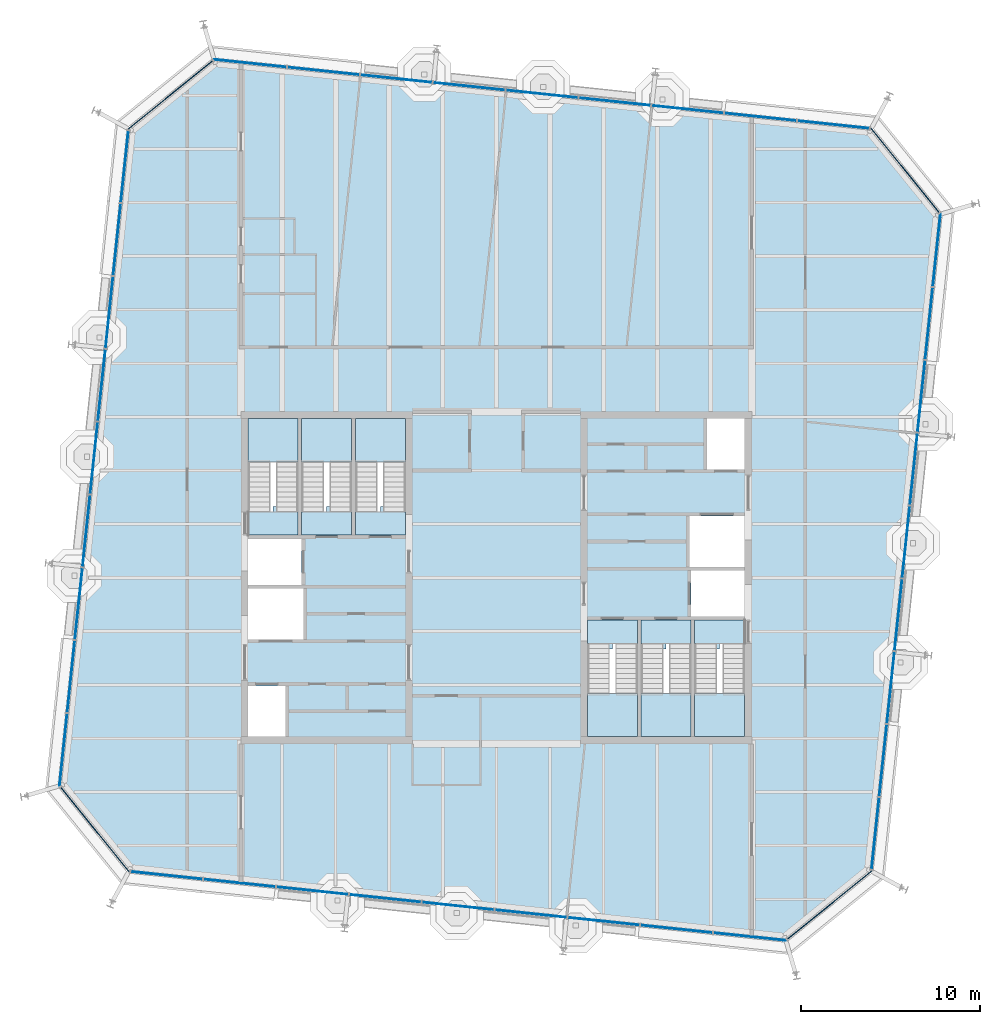
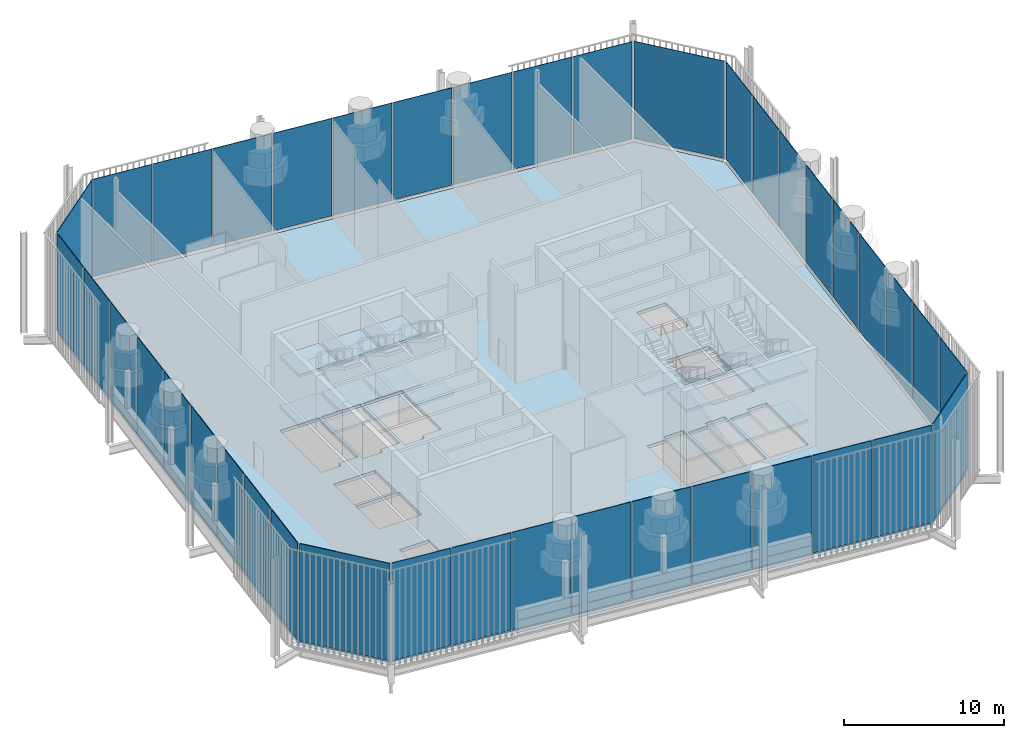
# One storey, part 9 of 17: 40 plates, 19 slabs, 14 elements without a shape of their own.
"""IFC4 building model written with IfcOpenShell, lengths in metres."""

import ifcopenshell
import ifcopenshell.guid

model = None  # the IFC model being written
_history = None  # IfcOwnerHistory: only IFC2X3 demands one
_inside = {}  # id of a spatial element -> (the spatial element, [elements in it])
_under = {}  # id of a project, library or spatial element -> (it, [spatial elements below it])
_declared = {}  # id of a project -> (the project, [libraries it declares])
_typed = {}  # id of a type object -> (the type object, [elements of that type])
_made_of = {}  # id of a material, layer set ... -> (it, [elements and type objects made of it])


def new_model(schema):
    """Start an empty IFC model of exactly this schema.

    Asked for "IFC4X3", IfcOpenShell would pick the latest addendum, in which some entities
    have other attributes; the version numbers below select the first issue.
    IFC2X3 requires an IfcOwnerHistory on every rooted entity: one is made here for all.
    """
    global model, _history
    if schema == "IFC4X3":
        model = ifcopenshell.file(schema_version=(4, 3, 0, 0))
    else:
        model = ifcopenshell.file(schema=schema)
    _inside.clear()
    _under.clear()
    _declared.clear()
    _typed.clear()
    _made_of.clear()
    _history = None
    if model.schema == "IFC2X3":
        org = make("IfcOrganization", Name="unknown")
        user = make(
            "IfcPersonAndOrganization",
            ThePerson=make("IfcPerson", FamilyName="unknown"),
            TheOrganization=org,
        )
        app = make(
            "IfcApplication",
            ApplicationDeveloper=org,
            Version="unknown",
            ApplicationFullName="unknown",
            ApplicationIdentifier="unknown",
        )
        _history = make(
            "IfcOwnerHistory",
            OwningUser=user,
            OwningApplication=app,
            ChangeAction="ADDED",
            CreationDate=0,
        )
    return model


def make(cls, **values):
    """One entity of the class cls with the attributes given. An attribute that is None is left unset."""
    return model.create_entity(
        cls, **{name: value for name, value in values.items() if value is not None}
    )


def rooted(cls, **values):
    """An entity with a GlobalId (a new one), such as an element, a storey or a relation."""
    return make(cls, GlobalId=ifcopenshell.guid.new(), OwnerHistory=_history, **values)


def si_unit(unit_type, name, prefix=None):
    """IfcSIUnit, for example si_unit("LENGTHUNIT", "METRE", prefix="MILLI")."""
    return make("IfcSIUnit", UnitType=unit_type, Prefix=prefix, Name=name)


def assignment(units):
    """IfcUnitAssignment: the units of a project."""
    return None if units is None else make("IfcUnitAssignment", Units=units)


def point(xyz):
    """IfcCartesianPoint."""
    return None if xyz is None else make("IfcCartesianPoint", Coordinates=xyz)


def direction(xyz):
    """IfcDirection."""
    return None if xyz is None else make("IfcDirection", DirectionRatios=xyz)


def frame(location, z_axis=None, x_axis=None):
    """IfcAxis2Placement3D, a coordinate frame: its origin and axes. An axis left out is left unset."""
    return make(
        "IfcAxis2Placement3D",
        Location=point(location),
        Axis=direction(z_axis),
        RefDirection=direction(x_axis),
    )


def origin():
    """The frame at (0, 0, 0) with its axes left unset."""
    return frame((0.0, 0.0, 0.0))


def place(relative_to, where):
    """IfcLocalPlacement: puts the frame where relative to a parent placement (None: the world)."""
    return make(
        "IfcLocalPlacement", PlacementRelTo=relative_to, RelativePlacement=where
    )


def context(
    kind, dimensions, precision=None, world=None, true_north=None, identifier=None
):
    """IfcGeometricRepresentationContext, for example the 3D "Model" context."""
    return make(
        "IfcGeometricRepresentationContext",
        ContextIdentifier=identifier,
        ContextType=kind,
        CoordinateSpaceDimension=dimensions,
        Precision=precision,
        WorldCoordinateSystem=world,
        TrueNorth=true_north,
    )


def subcontext(parent, identifier, kind, view, scale=None):
    """IfcGeometricRepresentationSubContext, for example "Body" below "Model"."""
    return make(
        "IfcGeometricRepresentationSubContext",
        ContextIdentifier=identifier,
        ContextType=kind,
        ParentContext=parent,
        TargetScale=scale,
        TargetView=view,
    )


def project(units=None, contexts=None):
    """IfcProject with its units and contexts."""
    return rooted(
        "IfcProject",
        Name="project",
        RepresentationContexts=contexts,
        UnitsInContext=assignment(units),
    )


def spatial(cls, under=None, at=None, **own):
    """A site, building, storey or space (cls), placed at a placement, below another one or the project."""
    s = rooted(cls, ObjectPlacement=at, **own)
    if under is not None:
        _under.setdefault(under.id(), (under, []))[1].append(s)
    return s


def polyline(points):
    """IfcPolyline through the points."""
    return make("IfcPolyline", Points=[point(p) for p in points])


def outline(outer, holes=None, kind="AREA"):
    """IfcArbitraryClosedProfileDef: a profile drawn as a closed curve; with holes, ...WithVoids."""
    if holes is None:
        return make("IfcArbitraryClosedProfileDef", ProfileType=kind, OuterCurve=outer)
    return make(
        "IfcArbitraryProfileDefWithVoids",
        ProfileType=kind,
        OuterCurve=outer,
        InnerCurves=holes,
    )


def extrude(swept, where, along, depth):
    """IfcExtrudedAreaSolid: the profile swept, set in the frame where, extruded along a direction by depth."""
    return make(
        "IfcExtrudedAreaSolid",
        SweptArea=swept,
        Position=where,
        ExtrudedDirection=direction(along),
        Depth=depth,
    )


def shape(context_of_items, identifier, shape_type, items):
    """IfcShapeRepresentation: the items that make up one representation, for example the "Body"."""
    return make(
        "IfcShapeRepresentation",
        ContextOfItems=context_of_items,
        RepresentationIdentifier=identifier,
        RepresentationType=shape_type,
        Items=items,
    )


def material(Name=None, Category=None):
    """IfcMaterial."""
    return make("IfcMaterial", Name=Name, Category=Category)


def layer(
    of_material, thickness, ventilated=None, Name=None, Category=None, Priority=None
):
    """IfcMaterialLayer: one layer of a wall or slab, of a material (None: an air gap)."""
    return make(
        "IfcMaterialLayer",
        Material=of_material,
        LayerThickness=thickness,
        IsVentilated=ventilated,
        Name=Name,
        Category=Category,
        Priority=Priority,
    )


def layer_set(layers, Name=None):
    """IfcMaterialLayerSet."""
    return make("IfcMaterialLayerSet", MaterialLayers=layers, LayerSetName=Name)


def made_of(thing, what):
    """Note that an element or type object is made of a material, layer set ...; save() writes the relation."""
    if what is not None:
        _made_of.setdefault(what.id(), (what, []))[1].append(thing)
    return thing


def type_object(cls, material=None, **own):
    """A type object (cls), such as IfcWallType, which elements share."""
    return made_of(rooted(cls, **own), material)


def element(
    cls,
    number,
    at=None,
    inside=None,
    cuts=None,
    type_object=None,
    material=None,
    context=None,
    identifier="Body",
    shape_type=None,
    held_by="IfcProductDefinitionShape",
    body=None,
    shapes=None,
    **own,
):
    """One element of the class cls, such as IfcWall. Its Tag is "e" and its number.

    at: its placement. inside: the storey or other place that contains it. cuts: it is an
    opening in that element (IfcRelVoidsElement). A single representation is given by context,
    identifier, shape_type and body (its items); several are given by shapes. held_by: the class
    of the entity that holds the representations. save() writes the other relations.
    """
    e = rooted(cls, Tag="e%d" % number, ObjectPlacement=at, **own)
    if body is not None:
        shapes = [shape(context, identifier, shape_type, body)]
    if shapes is not None:
        e.Representation = make(held_by, Representations=shapes)
    if inside is not None:
        _inside.setdefault(inside.id(), (inside, []))[1].append(e)
    if cuts is not None:
        rooted(
            "IfcRelVoidsElement", RelatingBuildingElement=cuts, RelatedOpeningElement=e
        )
    if type_object is not None:
        _typed.setdefault(type_object.id(), (type_object, []))[1].append(e)
    return made_of(e, material)


def aggregate(whole, parts):
    """IfcRelAggregates: a whole, such as a stair, and the parts it consists of."""
    return rooted("IfcRelAggregates", RelatingObject=whole, RelatedObjects=parts)


def save(model, path):
    """Write the relations noted so far, then the file.

    IfcRelAggregates (storeys below a building ...), IfcRelContainedInSpatialStructure (elements
    in a storey), IfcRelDefinesByType, IfcRelAssociatesMaterial and IfcRelDeclares: one each for
    every whole, place, type object, material and project.
    """
    for whole, parts in _under.values():
        aggregate(whole, parts)
    for where, things in _inside.values():
        rooted(
            "IfcRelContainedInSpatialStructure",
            RelatedElements=things,
            RelatingStructure=where,
        )
    for kind, things in _typed.values():
        rooted("IfcRelDefinesByType", RelatedObjects=things, RelatingType=kind)
    for what, things in _made_of.values():
        rooted("IfcRelAssociatesMaterial", RelatedObjects=things, RelatingMaterial=what)
    for by, libraries in _declared.values():
        rooted("IfcRelDeclares", RelatingContext=by, RelatedDefinitions=libraries)
    model.write(path)


model = new_model("IFC4")

# Units and contexts
model_context = context("Model", 3, precision=1e-05, world=origin(), true_north=direction((0.0, 1.0)))
body_context = subcontext(model_context, "Body", "Model", "MODEL_VIEW")
ifc_project = project(units=[si_unit("LENGTHUNIT", "METRE"), si_unit("AREAUNIT", "SQUARE_METRE"), si_unit("VOLUMEUNIT", "CUBIC_METRE"), si_unit("PLANEANGLEUNIT", "RADIAN"), si_unit("MASSUNIT", "GRAM", prefix="KILO")], contexts=[model_context])

# Site, building, storey
site_placement = place(None, origin())
site = spatial("IfcSite", under=ifc_project, at=site_placement, CompositionType="ELEMENT")
building_placement = place(site_placement, origin())
building = spatial("IfcBuilding", under=site, at=building_placement, Name="Millrace Tower", CompositionType="ELEMENT")
storey_placement = place(building_placement, frame((0.0, 0.0, 311.10009765625)))
storey = spatial("IfcBuildingStorey", under=building, at=storey_placement, Name="L72", CompositionType="ELEMENT", Elevation=311.10009765625)

# Curtain wall, plate
ifc_material_1 = material(Name="Aluminium and glass", Category="aluminium")
ifc_layer_1 = layer(ifc_material_1, 0.199951171875)
ifc_layer_set_1 = layer_set([ifc_layer_1], Name="Aluminium and glass")
curtain_wall_type = type_object("IfcCurtainWallType", Name="CW-4 sky garden winter glazing", PredefinedType="NOTDEFINED", material=ifc_layer_set_1)
placement_1 = place(storey_placement, origin())
curtain_wall_1 = element("IfcCurtainWall", 1, at=placement_1, inside=storey, type_object=curtain_wall_type, Name="Curtain wall E-F01 L72", PredefinedType="NOTDEFINED")
ifc_material_2 = material(Name="Glass", Category="glass")
ifc_layer_2 = layer(ifc_material_2, 0.0439453125)
ifc_layer_set_2 = layer_set([ifc_layer_2], Name="Glass")
plate_type = type_object("IfcPlateType", Name="CW-4 sky garden winter glazing triple-glazed double-height panel", PredefinedType="CURTAIN_PANEL", material=ifc_layer_set_2)
placement_2 = place(storey_placement, frame((0.0, 0.0, 0.179931640625)))
plate_1 = element("IfcPlate", 2, at=placement_2, type_object=plate_type, Name="CW4 panel E-F01.1", PredefinedType="CURTAIN_PANEL", context=body_context, shape_type="SweptSolid", body=[
    extrude(outline(polyline([(-24.3984375, -11.759765625), (-20.58984375, -16.462890625), (-20.567138671875, -16.4208984375), (-24.3642578125, -11.732177734375), (-24.3984375, -11.759765625)])), origin(), (0.0, 0.0, 1.0), 7.419921875),
])
aggregate(curtain_wall_1, [plate_1])

# Curtain wall, plates
curtain_wall_2 = element("IfcCurtainWall", 3, at=placement_1, inside=storey, type_object=curtain_wall_type, Name="Curtain wall E-F02 L72", PredefinedType="NOTDEFINED")
plate_2 = element("IfcPlate", 4, at=placement_2, type_object=plate_type, Name="CW4 panel E-F02.1", PredefinedType="CURTAIN_PANEL", context=body_context, shape_type="SweptSolid", body=[
    extrude(outline(polyline([(-20.460205078125, -16.4765625), (-16.462158203125, -16.896728515625), (-16.45751953125, -16.85302734375), (-20.45556640625, -16.432861328125), (-20.460205078125, -16.4765625)])), origin(), (0.0, 0.0, 1.0), 7.419921875),
])
plate_3 = element("IfcPlate", 5, at=placement_2, type_object=plate_type, Name="CW4 panel E-F02.2", PredefinedType="CURTAIN_PANEL", context=body_context, shape_type="SweptSolid", body=[
    extrude(outline(polyline([(-16.382568359375, -16.905029296875), (-12.384521484375, -17.3251953125), (-12.380126953125, -17.281494140625), (-16.3779296875, -16.861328125), (-16.382568359375, -16.905029296875)])), origin(), (0.0, 0.0, 1.0), 7.419921875),
])
plate_4 = element("IfcPlate", 6, at=placement_2, type_object=plate_type, Name="CW4 panel E-F02.3", PredefinedType="CURTAIN_PANEL", context=body_context, shape_type="SweptSolid", body=[
    extrude(outline(polyline([(-12.30517578125, -17.333740234375), (-8.30712890625, -17.75390625), (-8.302490234375, -17.710205078125), (-12.300537109375, -17.289794921875), (-12.30517578125, -17.333740234375)])), origin(), (0.0, 0.0, 1.0), 7.419921875),
])
plate_5 = element("IfcPlate", 7, at=placement_2, type_object=plate_type, Name="CW4 panel E-F02.4", PredefinedType="CURTAIN_PANEL", context=body_context, shape_type="SweptSolid", body=[
    extrude(outline(polyline([(-8.2275390625, -17.76220703125), (-4.2294921875, -18.182373046875), (-4.224853515625, -18.138671875), (-8.222900390625, -17.718505859375), (-8.2275390625, -17.76220703125)])), origin(), (0.0, 0.0, 1.0), 7.419921875),
])
plate_6 = element("IfcPlate", 8, at=placement_2, type_object=plate_type, Name="CW4 panel E-F02.5", PredefinedType="CURTAIN_PANEL", context=body_context, shape_type="SweptSolid", body=[
    extrude(outline(polyline([(-4.14990234375, -18.190673828125), (-0.152099609375, -18.611083984375), (-0.1474609375, -18.567138671875), (-4.145263671875, -18.14697265625), (-4.14990234375, -18.190673828125)])), origin(), (0.0, 0.0, 1.0), 7.419921875),
])
plate_7 = element("IfcPlate", 9, at=placement_2, type_object=plate_type, Name="CW4 panel E-F02.6", PredefinedType="CURTAIN_PANEL", context=body_context, shape_type="SweptSolid", body=[
    extrude(outline(polyline([(-0.072509765625, -18.619384765625), (3.925537109375, -19.03955078125), (3.93017578125, -18.995849609375), (-0.06787109375, -18.57568359375), (-0.072509765625, -18.619384765625)])), origin(), (0.0, 0.0, 1.0), 7.419921875),
])
plate_8 = element("IfcPlate", 10, at=placement_2, type_object=plate_type, Name="CW4 panel E-F02.7", PredefinedType="CURTAIN_PANEL", context=body_context, shape_type="SweptSolid", body=[
    extrude(outline(polyline([(4.005126953125, -19.0478515625), (8.003173828125, -19.468017578125), (8.007568359375, -19.42431640625), (4.009765625, -19.004150390625), (4.005126953125, -19.0478515625)])), origin(), (0.0, 0.0, 1.0), 7.419921875),
])
plate_9 = element("IfcPlate", 11, at=placement_2, type_object=plate_type, Name="CW4 panel E-F02.8", PredefinedType="CURTAIN_PANEL", context=body_context, shape_type="SweptSolid", body=[
    extrude(outline(polyline([(8.08251953125, -19.4765625), (12.08056640625, -19.896728515625), (12.085205078125, -19.85302734375), (8.087158203125, -19.4326171875), (8.08251953125, -19.4765625)])), origin(), (0.0, 0.0, 1.0), 7.419921875),
])
plate_10 = element("IfcPlate", 12, at=placement_2, type_object=plate_type, Name="CW4 panel E-F02.9", PredefinedType="CURTAIN_PANEL", context=body_context, shape_type="SweptSolid", body=[
    extrude(outline(polyline([(12.16015625, -19.905029296875), (16.20849609375, -20.33056640625), (16.19482421875, -20.284912109375), (12.164794921875, -19.861328125), (12.16015625, -19.905029296875)])), origin(), (0.0, 0.0, 1.0), 7.419921875),
])
aggregate(curtain_wall_2, [plate_2, plate_3, plate_4, plate_5, plate_6, plate_7, plate_8, plate_9, plate_10])

# Curtain wall, plate
curtain_wall_3 = element("IfcCurtainWall", 13, at=placement_1, inside=storey, type_object=curtain_wall_type, Name="Curtain wall E-F03 L72", PredefinedType="NOTDEFINED")
plate_11 = element("IfcPlate", 14, at=placement_2, type_object=plate_type, Name="CW4 panel E-F03.1", PredefinedType="CURTAIN_PANEL", context=body_context, shape_type="SweptSolid", body=[
    extrude(outline(polyline([(16.309814453125, -20.248291015625), (21.012939453125, -16.43994140625), (20.970947265625, -16.417236328125), (16.2822265625, -20.214111328125), (16.309814453125, -20.248291015625)])), origin(), (0.0, 0.0, 1.0), 7.419921875),
])
aggregate(curtain_wall_3, [plate_11])

# Curtain wall, plates
curtain_wall_4 = element("IfcCurtainWall", 15, at=placement_1, inside=storey, type_object=curtain_wall_type, Name="Curtain wall E-F04 L72", PredefinedType="NOTDEFINED")
plate_12 = element("IfcPlate", 16, at=placement_2, type_object=plate_type, Name="CW4 panel E-F04.1", PredefinedType="CURTAIN_PANEL", context=body_context, shape_type="SweptSolid", body=[
    extrude(outline(polyline([(21.026611328125, -16.31005859375), (21.44677734375, -12.312255859375), (21.403076171875, -12.3076171875), (20.982666015625, -16.3056640625), (21.026611328125, -16.31005859375)])), origin(), (0.0, 0.0, 1.0), 7.419921875),
])
plate_13 = element("IfcPlate", 17, at=placement_2, type_object=plate_type, Name="CW4 panel E-F04.2", PredefinedType="CURTAIN_PANEL", context=body_context, shape_type="SweptSolid", body=[
    extrude(outline(polyline([(21.455078125, -12.232666015625), (21.875244140625, -8.234619140625), (21.83154296875, -8.22998046875), (21.411376953125, -12.22802734375), (21.455078125, -12.232666015625)])), origin(), (0.0, 0.0, 1.0), 7.419921875),
])
plate_14 = element("IfcPlate", 18, at=placement_2, type_object=plate_type, Name="CW4 panel E-F04.3", PredefinedType="CURTAIN_PANEL", context=body_context, shape_type="SweptSolid", body=[
    extrude(outline(polyline([(21.883544921875, -8.155029296875), (22.303955078125, -4.156982421875), (22.260009765625, -4.152587890625), (21.83984375, -8.150390625), (21.883544921875, -8.155029296875)])), origin(), (0.0, 0.0, 1.0), 7.419921875),
])
plate_15 = element("IfcPlate", 19, at=placement_2, type_object=plate_type, Name="CW4 panel E-F04.4", PredefinedType="CURTAIN_PANEL", context=body_context, shape_type="SweptSolid", body=[
    extrude(outline(polyline([(22.312255859375, -4.07763671875), (22.732421875, -0.07958984375), (22.688720703125, -0.074951171875), (22.2685546875, -4.072998046875), (22.312255859375, -4.07763671875)])), origin(), (0.0, 0.0, 1.0), 7.419921875),
])
plate_16 = element("IfcPlate", 20, at=placement_2, type_object=plate_type, Name="CW4 panel E-F04.5", PredefinedType="CURTAIN_PANEL", context=body_context, shape_type="SweptSolid", body=[
    extrude(outline(polyline([(22.74072265625, 0.0), (23.160888671875, 3.998046875), (23.1171875, 4.002685546875), (22.697021484375, 0.004638671875), (22.74072265625, 0.0)])), origin(), (0.0, 0.0, 1.0), 7.419921875),
])
plate_17 = element("IfcPlate", 21, at=placement_2, type_object=plate_type, Name="CW4 panel E-F04.6", PredefinedType="CURTAIN_PANEL", context=body_context, shape_type="SweptSolid", body=[
    extrude(outline(polyline([(23.16943359375, 4.07763671875), (23.589599609375, 8.075439453125), (23.5458984375, 8.080078125), (23.12548828125, 4.082275390625), (23.16943359375, 4.07763671875)])), origin(), (0.0, 0.0, 1.0), 7.419921875),
])
plate_18 = element("IfcPlate", 22, at=placement_2, type_object=plate_type, Name="CW4 panel E-F04.7", PredefinedType="CURTAIN_PANEL", context=body_context, shape_type="SweptSolid", body=[
    extrude(outline(polyline([(23.597900390625, 8.155029296875), (24.01806640625, 12.153076171875), (23.974365234375, 12.15771484375), (23.55419921875, 8.15966796875), (23.597900390625, 8.155029296875)])), origin(), (0.0, 0.0, 1.0), 7.419921875),
])
plate_19 = element("IfcPlate", 23, at=placement_2, type_object=plate_type, Name="CW4 panel E-F04.8", PredefinedType="CURTAIN_PANEL", context=body_context, shape_type="SweptSolid", body=[
    extrude(outline(polyline([(24.0263671875, 12.232666015625), (24.44677734375, 16.230712890625), (24.40283203125, 16.235107421875), (23.982666015625, 12.2373046875), (24.0263671875, 12.232666015625)])), origin(), (0.0, 0.0, 1.0), 7.419921875),
])
plate_20 = element("IfcPlate", 24, at=placement_2, type_object=plate_type, Name="CW4 panel E-F04.9", PredefinedType="CURTAIN_PANEL", context=body_context, shape_type="SweptSolid", body=[
    extrude(outline(polyline([(24.455078125, 16.31005859375), (24.880615234375, 20.3583984375), (24.8349609375, 20.344970703125), (24.411376953125, 16.314697265625), (24.455078125, 16.31005859375)])), origin(), (0.0, 0.0, 1.0), 7.419921875),
])
aggregate(curtain_wall_4, [plate_12, plate_13, plate_14, plate_15, plate_16, plate_17, plate_18, plate_19, plate_20])

# Curtain wall, plate
curtain_wall_5 = element("IfcCurtainWall", 25, at=placement_1, inside=storey, type_object=curtain_wall_type, Name="Curtain wall E-F05 L72", PredefinedType="NOTDEFINED")
plate_21 = element("IfcPlate", 26, at=placement_2, type_object=plate_type, Name="CW4 panel E-F05.1", PredefinedType="CURTAIN_PANEL", context=body_context, shape_type="SweptSolid", body=[
    extrude(outline(polyline([(24.79833984375, 20.4599609375), (20.989990234375, 25.162841796875), (20.96728515625, 25.12109375), (24.76416015625, 20.43212890625), (24.79833984375, 20.4599609375)])), origin(), (0.0, 0.0, 1.0), 7.419921875),
])
aggregate(curtain_wall_5, [plate_21])

# Curtain wall, plates
curtain_wall_6 = element("IfcCurtainWall", 27, at=placement_1, inside=storey, type_object=curtain_wall_type, Name="Curtain wall E-F06 L72", PredefinedType="NOTDEFINED")
plate_22 = element("IfcPlate", 28, at=placement_2, type_object=plate_type, Name="CW4 panel E-F06.1", PredefinedType="CURTAIN_PANEL", context=body_context, shape_type="SweptSolid", body=[
    extrude(outline(polyline([(20.860107421875, 25.176513671875), (16.862060546875, 25.5966796875), (16.857666015625, 25.552978515625), (20.85546875, 25.1328125), (20.860107421875, 25.176513671875)])), origin(), (0.0, 0.0, 1.0), 7.419921875),
])
plate_23 = element("IfcPlate", 29, at=placement_2, type_object=plate_type, Name="CW4 panel E-F06.2", PredefinedType="CURTAIN_PANEL", context=body_context, shape_type="SweptSolid", body=[
    extrude(outline(polyline([(16.78271484375, 25.60498046875), (12.78466796875, 26.025390625), (12.780029296875, 25.9814453125), (16.778076171875, 25.561279296875), (16.78271484375, 25.60498046875)])), origin(), (0.0, 0.0, 1.0), 7.419921875),
])
plate_24 = element("IfcPlate", 30, at=placement_2, type_object=plate_type, Name="CW4 panel E-F06.3", PredefinedType="CURTAIN_PANEL", context=body_context, shape_type="SweptSolid", body=[
    extrude(outline(polyline([(12.705078125, 26.03369140625), (8.70703125, 26.453857421875), (8.702392578125, 26.41015625), (12.700439453125, 25.989990234375), (12.705078125, 26.03369140625)])), origin(), (0.0, 0.0, 1.0), 7.419921875),
])
plate_25 = element("IfcPlate", 31, at=placement_2, type_object=plate_type, Name="CW4 panel E-F06.4", PredefinedType="CURTAIN_PANEL", context=body_context, shape_type="SweptSolid", body=[
    extrude(outline(polyline([(8.62744140625, 26.462158203125), (4.629638671875, 26.88232421875), (4.625, 26.838623046875), (8.622802734375, 26.41845703125), (8.62744140625, 26.462158203125)])), origin(), (0.0, 0.0, 1.0), 7.419921875),
])
plate_26 = element("IfcPlate", 32, at=placement_2, type_object=plate_type, Name="CW4 panel E-F06.5", PredefinedType="CURTAIN_PANEL", context=body_context, shape_type="SweptSolid", body=[
    extrude(outline(polyline([(4.550048828125, 26.890869140625), (0.552001953125, 27.31103515625), (0.54736328125, 27.267333984375), (4.54541015625, 26.846923828125), (4.550048828125, 26.890869140625)])), origin(), (0.0, 0.0, 1.0), 7.419921875),
])
plate_27 = element("IfcPlate", 33, at=placement_2, type_object=plate_type, Name="CW4 panel E-F06.6", PredefinedType="CURTAIN_PANEL", context=body_context, shape_type="SweptSolid", body=[
    extrude(outline(polyline([(0.472412109375, 27.3193359375), (-3.525634765625, 27.739501953125), (-3.530029296875, 27.69580078125), (0.4677734375, 27.275634765625), (0.472412109375, 27.3193359375)])), origin(), (0.0, 0.0, 1.0), 7.419921875),
])
plate_28 = element("IfcPlate", 34, at=placement_2, type_object=plate_type, Name="CW4 panel E-F06.7", PredefinedType="CURTAIN_PANEL", context=body_context, shape_type="SweptSolid", body=[
    extrude(outline(polyline([(-3.60498046875, 27.747802734375), (-7.60302734375, 28.168212890625), (-7.607666015625, 28.124267578125), (-3.609619140625, 27.7041015625), (-3.60498046875, 27.747802734375)])), origin(), (0.0, 0.0, 1.0), 7.419921875),
])
plate_29 = element("IfcPlate", 35, at=placement_2, type_object=plate_type, Name="CW4 panel E-F06.8", PredefinedType="CURTAIN_PANEL", context=body_context, shape_type="SweptSolid", body=[
    extrude(outline(polyline([(-7.6826171875, 28.176513671875), (-11.6806640625, 28.5966796875), (-11.685302734375, 28.552978515625), (-7.687255859375, 28.1328125), (-7.6826171875, 28.176513671875)])), origin(), (0.0, 0.0, 1.0), 7.419921875),
])
plate_30 = element("IfcPlate", 36, at=placement_2, type_object=plate_type, Name="CW4 panel E-F06.9", PredefinedType="CURTAIN_PANEL", context=body_context, shape_type="SweptSolid", body=[
    extrude(outline(polyline([(-11.76025390625, 28.60498046875), (-15.808349609375, 29.030517578125), (-15.794921875, 28.98486328125), (-11.764892578125, 28.561279296875), (-11.76025390625, 28.60498046875)])), origin(), (0.0, 0.0, 1.0), 7.419921875),
])
aggregate(curtain_wall_6, [plate_22, plate_23, plate_24, plate_25, plate_26, plate_27, plate_28, plate_29, plate_30])

# Curtain wall, plate
curtain_wall_7 = element("IfcCurtainWall", 37, at=placement_1, inside=storey, type_object=curtain_wall_type, Name="Curtain wall E-F07 L72", PredefinedType="NOTDEFINED")
plate_31 = element("IfcPlate", 38, at=placement_2, type_object=plate_type, Name="CW4 panel E-F07.1", PredefinedType="CURTAIN_PANEL", context=body_context, shape_type="SweptSolid", body=[
    extrude(outline(polyline([(-15.909912109375, 28.948486328125), (-20.61279296875, 25.139892578125), (-20.571044921875, 25.1171875), (-15.882080078125, 28.914306640625), (-15.909912109375, 28.948486328125)])), origin(), (0.0, 0.0, 1.0), 7.419921875),
])
aggregate(curtain_wall_7, [plate_31])

# Curtain wall, plates
curtain_wall_8 = element("IfcCurtainWall", 39, at=placement_1, inside=storey, type_object=curtain_wall_type, Name="Curtain wall E-F08 L72", PredefinedType="NOTDEFINED")
plate_32 = element("IfcPlate", 40, at=placement_2, type_object=plate_type, Name="CW4 panel E-F08.1", PredefinedType="CURTAIN_PANEL", context=body_context, shape_type="SweptSolid", body=[
    extrude(outline(polyline([(-20.62646484375, 25.01025390625), (-21.046630859375, 21.01220703125), (-21.0029296875, 21.007568359375), (-20.582763671875, 25.005615234375), (-20.62646484375, 25.01025390625)])), origin(), (0.0, 0.0, 1.0), 7.419921875),
])
plate_33 = element("IfcPlate", 41, at=placement_2, type_object=plate_type, Name="CW4 panel E-F08.2", PredefinedType="CURTAIN_PANEL", context=body_context, shape_type="SweptSolid", body=[
    extrude(outline(polyline([(-21.05517578125, 20.9326171875), (-21.475341796875, 16.9345703125), (-21.431640625, 16.929931640625), (-21.01123046875, 20.927978515625), (-21.05517578125, 20.9326171875)])), origin(), (0.0, 0.0, 1.0), 7.419921875),
])
plate_34 = element("IfcPlate", 42, at=placement_2, type_object=plate_type, Name="CW4 panel E-F08.3", PredefinedType="CURTAIN_PANEL", context=body_context, shape_type="SweptSolid", body=[
    extrude(outline(polyline([(-21.483642578125, 16.85498046875), (-21.90380859375, 12.857177734375), (-21.860107421875, 12.8525390625), (-21.43994140625, 16.8505859375), (-21.483642578125, 16.85498046875)])), origin(), (0.0, 0.0, 1.0), 7.419921875),
])
plate_35 = element("IfcPlate", 43, at=placement_2, type_object=plate_type, Name="CW4 panel E-F08.4", PredefinedType="CURTAIN_PANEL", context=body_context, shape_type="SweptSolid", body=[
    extrude(outline(polyline([(-21.912109375, 12.777587890625), (-22.33251953125, 8.779541015625), (-22.28857421875, 8.77490234375), (-21.868408203125, 12.77294921875), (-21.912109375, 12.777587890625)])), origin(), (0.0, 0.0, 1.0), 7.419921875),
])
plate_36 = element("IfcPlate", 44, at=placement_2, type_object=plate_type, Name="CW4 panel E-F08.5", PredefinedType="CURTAIN_PANEL", context=body_context, shape_type="SweptSolid", body=[
    extrude(outline(polyline([(-22.3408203125, 8.699951171875), (-22.760986328125, 4.701904296875), (-22.71728515625, 4.697509765625), (-22.297119140625, 8.6953125), (-22.3408203125, 8.699951171875)])), origin(), (0.0, 0.0, 1.0), 7.419921875),
])
plate_37 = element("IfcPlate", 45, at=placement_2, type_object=plate_type, Name="CW4 panel E-F08.6", PredefinedType="CURTAIN_PANEL", context=body_context, shape_type="SweptSolid", body=[
    extrude(outline(polyline([(-22.769287109375, 4.62255859375), (-23.189453125, 0.62451171875), (-23.145751953125, 0.619873046875), (-22.7255859375, 4.617919921875), (-22.769287109375, 4.62255859375)])), origin(), (0.0, 0.0, 1.0), 7.419921875),
])
plate_38 = element("IfcPlate", 46, at=placement_2, type_object=plate_type, Name="CW4 panel E-F08.7", PredefinedType="CURTAIN_PANEL", context=body_context, shape_type="SweptSolid", body=[
    extrude(outline(polyline([(-23.197998046875, 0.544921875), (-23.6181640625, -3.453125), (-23.574462890625, -3.457763671875), (-23.154052734375, 0.540283203125), (-23.197998046875, 0.544921875)])), origin(), (0.0, 0.0, 1.0), 7.419921875),
])
plate_39 = element("IfcPlate", 47, at=placement_2, type_object=plate_type, Name="CW4 panel E-F08.8", PredefinedType="CURTAIN_PANEL", context=body_context, shape_type="SweptSolid", body=[
    extrude(outline(polyline([(-23.62646484375, -3.53271484375), (-24.046630859375, -7.530517578125), (-24.0029296875, -7.53515625), (-23.582763671875, -3.537353515625), (-23.62646484375, -3.53271484375)])), origin(), (0.0, 0.0, 1.0), 7.419921875),
])
plate_40 = element("IfcPlate", 48, at=placement_2, type_object=plate_type, Name="CW4 panel E-F08.9", PredefinedType="CURTAIN_PANEL", context=body_context, shape_type="SweptSolid", body=[
    extrude(outline(polyline([(-24.054931640625, -7.610107421875), (-24.48046875, -11.658447265625), (-24.434814453125, -11.644775390625), (-24.01123046875, -7.61474609375), (-24.054931640625, -7.610107421875)])), origin(), (0.0, 0.0, 1.0), 7.419921875),
])
aggregate(curtain_wall_8, [plate_32, plate_33, plate_34, plate_35, plate_36, plate_37, plate_38, plate_39, plate_40])

# Slab
ifc_material_3 = material(Name="Concrete C35 on steel deck", Category="concrete")
ifc_layer_3 = layer(ifc_material_3, 0.25)
ifc_layer_set_3 = layer_set([ifc_layer_3], Name="Concrete C35 on steel deck")
slab_type_1 = type_object("IfcSlabType", Name="Composite floor slab 250 mm", PredefinedType="FLOOR", material=ifc_layer_set_3)
slab_1_placement = place(storey_placement, frame((0.0, 0.0, -0.25)))
element("IfcSlab", 49, at=slab_1_placement, inside=storey, type_object=slab_type_1, Name="SL-E-L72-S1", PredefinedType="FLOOR", context=body_context, shape_type="SweptSolid", body=[
    extrude(outline(polyline([(-24.35400390625, -11.620849609375), (-20.52685546875, -16.346923828125), (16.1708984375, -20.203857421875), (20.896728515625, -16.376953125), (24.75390625, 20.32080078125), (20.927001953125, 25.046875), (-15.77099609375, 28.90380859375), (-20.496826171875, 25.076904296875), (-24.35400390625, -11.620849609375)]), holes=[polyline([(-13.89990234375, -8.89990234375), (-11.800048828125, -8.89990234375), (-11.800048828125, -6.050048828125), (-13.89990234375, -6.050048828125), (-13.89990234375, -8.89990234375)]), polyline([(-13.89990234375, -3.449951171875), (-10.800048828125, -3.449951171875), (-10.800048828125, -0.60009765625), (-13.89990234375, -0.60009765625), (-13.89990234375, -3.449951171875)]), polyline([(-13.89990234375, -0.39990234375), (-10.89990234375, -0.39990234375), (-10.89990234375, 2.179931640625), (-13.89990234375, 2.179931640625), (-13.89990234375, -0.39990234375)]), polyline([(-12.5, 3.679931640625), (-12.5, 4.0), (-11.10009765625, 4.0), (-11.10009765625, 8.89990234375), (-12.5, 8.89990234375), (-13.89990234375, 8.89990234375), (-13.89990234375, 3.679931640625), (-12.5, 3.679931640625)]), polyline([(-9.5, 3.679931640625), (-9.5, 4.0), (-8.10009765625, 4.0), (-8.10009765625, 8.89990234375), (-9.5, 8.89990234375), (-10.89990234375, 8.89990234375), (-10.89990234375, 3.679931640625), (-9.5, 3.679931640625)]), polyline([(-6.5, 3.679931640625), (-6.5, 4.0), (-5.10009765625, 4.0), (-5.10009765625, 8.89990234375), (-6.5, 8.89990234375), (-7.89990234375, 8.89990234375), (-7.89990234375, 3.679931640625), (-6.5, 3.679931640625)]), polyline([(11.800048828125, 6.050048828125), (13.89990234375, 6.050048828125), (13.89990234375, 8.89990234375), (11.800048828125, 8.89990234375), (11.800048828125, 6.050048828125)]), polyline([(10.800048828125, 0.60009765625), (13.89990234375, 0.60009765625), (13.89990234375, 3.449951171875), (10.800048828125, 3.449951171875), (10.800048828125, 0.60009765625)]), polyline([(10.89990234375, -2.179931640625), (13.89990234375, -2.179931640625), (13.89990234375, 0.39990234375), (10.89990234375, 0.39990234375), (10.89990234375, -2.179931640625)]), polyline([(11.10009765625, -8.89990234375), (12.5, -8.89990234375), (13.89990234375, -8.89990234375), (13.89990234375, -3.679931640625), (12.5, -3.679931640625), (12.5, -4.0), (11.10009765625, -4.0), (11.10009765625, -8.89990234375)]), polyline([(8.10009765625, -8.89990234375), (9.5, -8.89990234375), (10.89990234375, -8.89990234375), (10.89990234375, -3.679931640625), (9.5, -3.679931640625), (9.5, -4.0), (8.10009765625, -4.0), (8.10009765625, -8.89990234375)]), polyline([(5.10009765625, -8.89990234375), (6.5, -8.89990234375), (7.89990234375, -8.89990234375), (7.89990234375, -3.679931640625), (6.5, -3.679931640625), (6.5, -4.0), (5.10009765625, -4.0), (5.10009765625, -8.89990234375)])]), origin(), (0.0, 0.0, 1.0), 0.25),
])

# Stair, slabs
ifc_material_4 = material(Name="Concrete C35", Category="concrete")
stair_type = type_object("IfcStairType", Name="Exit stair", PredefinedType="HALF_TURN_STAIR", material=ifc_material_4)
stair_1 = element("IfcStair", 50, at=placement_1, inside=storey, type_object=stair_type, Name="Stair 1 W L72", PredefinedType="HALF_TURN_STAIR")
ifc_material_5 = material(Name="Concrete C40", Category="concrete")
ifc_layer_4 = layer(ifc_material_5, 0.199951171875)
ifc_layer_set_4 = layer_set([ifc_layer_4], Name="Concrete C40")
slab_type_2 = type_object("IfcSlabType", Name="Stair landing", PredefinedType="LANDING", material=ifc_layer_set_4)
placement_3 = place(storey_placement, frame((0.0, 0.0, 1.699951171875)))
slab_2 = element("IfcSlab", 51, at=placement_3, type_object=slab_type_2, Name="ST12 landing 1", PredefinedType="LANDING", context=body_context, shape_type="SweptSolid", body=[
    extrude(outline(polyline([(-13.89990234375, 6.47998046875), (-11.10009765625, 6.47998046875), (-11.10009765625, 8.89990234375), (-13.89990234375, 8.89990234375), (-13.89990234375, 6.47998046875)])), origin(), (0.0, 0.0, 1.0), 0.199951171875),
])
placement_4 = place(storey_placement, frame((0.0, 0.0, 3.599853515625)))
slab_3 = element("IfcSlab", 52, at=placement_4, type_object=slab_type_2, Name="ST12 landing 2", PredefinedType="LANDING", context=body_context, shape_type="SweptSolid", body=[
    extrude(outline(polyline([(-13.89990234375, 2.3798828125), (-11.10009765625, 2.3798828125), (-11.10009765625, 3.679931640625), (-13.89990234375, 3.679931640625), (-13.89990234375, 2.3798828125)])), origin(), (0.0, 0.0, 1.0), 0.199951171875),
])
placement_5 = place(storey_placement, frame((0.0, 0.0, 5.5)))
slab_4 = element("IfcSlab", 53, at=placement_5, type_object=slab_type_2, Name="ST12 landing 3", PredefinedType="LANDING", context=body_context, shape_type="SweptSolid", body=[
    extrude(outline(polyline([(-13.89990234375, 6.47998046875), (-11.10009765625, 6.47998046875), (-11.10009765625, 8.89990234375), (-13.89990234375, 8.89990234375), (-13.89990234375, 6.47998046875)])), origin(), (0.0, 0.0, 1.0), 0.199951171875),
])
aggregate(stair_1, [slab_2, slab_3, slab_4])

stair_2 = element("IfcStair", 54, at=placement_1, inside=storey, type_object=stair_type, Name="Stair 2 W L72", PredefinedType="HALF_TURN_STAIR")
slab_5 = element("IfcSlab", 55, at=placement_3, type_object=slab_type_2, Name="ST12 landing 1", PredefinedType="LANDING", context=body_context, shape_type="SweptSolid", body=[
    extrude(outline(polyline([(-10.89990234375, 6.47998046875), (-8.10009765625, 6.47998046875), (-8.10009765625, 8.89990234375), (-10.89990234375, 8.89990234375), (-10.89990234375, 6.47998046875)])), origin(), (0.0, 0.0, 1.0), 0.199951171875),
])
slab_6 = element("IfcSlab", 56, at=placement_4, type_object=slab_type_2, Name="ST12 landing 2", PredefinedType="LANDING", context=body_context, shape_type="SweptSolid", body=[
    extrude(outline(polyline([(-10.89990234375, 2.3798828125), (-8.10009765625, 2.3798828125), (-8.10009765625, 3.679931640625), (-10.89990234375, 3.679931640625), (-10.89990234375, 2.3798828125)])), origin(), (0.0, 0.0, 1.0), 0.199951171875),
])
slab_7 = element("IfcSlab", 57, at=placement_5, type_object=slab_type_2, Name="ST12 landing 3", PredefinedType="LANDING", context=body_context, shape_type="SweptSolid", body=[
    extrude(outline(polyline([(-10.89990234375, 6.47998046875), (-8.10009765625, 6.47998046875), (-8.10009765625, 8.89990234375), (-10.89990234375, 8.89990234375), (-10.89990234375, 6.47998046875)])), origin(), (0.0, 0.0, 1.0), 0.199951171875),
])
aggregate(stair_2, [slab_5, slab_6, slab_7])

stair_3 = element("IfcStair", 58, at=placement_1, inside=storey, type_object=stair_type, Name="Stair 3 W L72", PredefinedType="HALF_TURN_STAIR")
slab_8 = element("IfcSlab", 59, at=placement_3, type_object=slab_type_2, Name="ST12 landing 1", PredefinedType="LANDING", context=body_context, shape_type="SweptSolid", body=[
    extrude(outline(polyline([(-7.89990234375, 6.47998046875), (-5.10009765625, 6.47998046875), (-5.10009765625, 8.89990234375), (-7.89990234375, 8.89990234375), (-7.89990234375, 6.47998046875)])), origin(), (0.0, 0.0, 1.0), 0.199951171875),
])
slab_9 = element("IfcSlab", 60, at=placement_4, type_object=slab_type_2, Name="ST12 landing 2", PredefinedType="LANDING", context=body_context, shape_type="SweptSolid", body=[
    extrude(outline(polyline([(-7.89990234375, 2.3798828125), (-5.10009765625, 2.3798828125), (-5.10009765625, 3.679931640625), (-7.89990234375, 3.679931640625), (-7.89990234375, 2.3798828125)])), origin(), (0.0, 0.0, 1.0), 0.199951171875),
])
slab_10 = element("IfcSlab", 61, at=placement_5, type_object=slab_type_2, Name="ST12 landing 3", PredefinedType="LANDING", context=body_context, shape_type="SweptSolid", body=[
    extrude(outline(polyline([(-7.89990234375, 6.47998046875), (-5.10009765625, 6.47998046875), (-5.10009765625, 8.89990234375), (-7.89990234375, 8.89990234375), (-7.89990234375, 6.47998046875)])), origin(), (0.0, 0.0, 1.0), 0.199951171875),
])
aggregate(stair_3, [slab_8, slab_9, slab_10])

stair_4 = element("IfcStair", 62, at=placement_1, inside=storey, type_object=stair_type, Name="Stair 1 E L72", PredefinedType="HALF_TURN_STAIR")
slab_11 = element("IfcSlab", 63, at=placement_3, type_object=slab_type_2, Name="ST12 landing 1", PredefinedType="LANDING", context=body_context, shape_type="SweptSolid", body=[
    extrude(outline(polyline([(11.10009765625, -8.89990234375), (13.89990234375, -8.89990234375), (13.89990234375, -6.47998046875), (11.10009765625, -6.47998046875), (11.10009765625, -8.89990234375)])), origin(), (0.0, 0.0, 1.0), 0.199951171875),
])
slab_12 = element("IfcSlab", 64, at=placement_4, type_object=slab_type_2, Name="ST12 landing 2", PredefinedType="LANDING", context=body_context, shape_type="SweptSolid", body=[
    extrude(outline(polyline([(11.10009765625, -3.679931640625), (13.89990234375, -3.679931640625), (13.89990234375, -2.3798828125), (11.10009765625, -2.3798828125), (11.10009765625, -3.679931640625)])), origin(), (0.0, 0.0, 1.0), 0.199951171875),
])
slab_13 = element("IfcSlab", 65, at=placement_5, type_object=slab_type_2, Name="ST12 landing 3", PredefinedType="LANDING", context=body_context, shape_type="SweptSolid", body=[
    extrude(outline(polyline([(11.10009765625, -8.89990234375), (13.89990234375, -8.89990234375), (13.89990234375, -6.47998046875), (11.10009765625, -6.47998046875), (11.10009765625, -8.89990234375)])), origin(), (0.0, 0.0, 1.0), 0.199951171875),
])
aggregate(stair_4, [slab_11, slab_12, slab_13])

stair_5 = element("IfcStair", 66, at=placement_1, inside=storey, type_object=stair_type, Name="Stair 2 E L72", PredefinedType="HALF_TURN_STAIR")
slab_14 = element("IfcSlab", 67, at=placement_3, type_object=slab_type_2, Name="ST12 landing 1", PredefinedType="LANDING", context=body_context, shape_type="SweptSolid", body=[
    extrude(outline(polyline([(8.10009765625, -8.89990234375), (10.89990234375, -8.89990234375), (10.89990234375, -6.47998046875), (8.10009765625, -6.47998046875), (8.10009765625, -8.89990234375)])), origin(), (0.0, 0.0, 1.0), 0.199951171875),
])
slab_15 = element("IfcSlab", 68, at=placement_4, type_object=slab_type_2, Name="ST12 landing 2", PredefinedType="LANDING", context=body_context, shape_type="SweptSolid", body=[
    extrude(outline(polyline([(8.10009765625, -3.679931640625), (10.89990234375, -3.679931640625), (10.89990234375, -2.3798828125), (8.10009765625, -2.3798828125), (8.10009765625, -3.679931640625)])), origin(), (0.0, 0.0, 1.0), 0.199951171875),
])
slab_16 = element("IfcSlab", 69, at=placement_5, type_object=slab_type_2, Name="ST12 landing 3", PredefinedType="LANDING", context=body_context, shape_type="SweptSolid", body=[
    extrude(outline(polyline([(8.10009765625, -8.89990234375), (10.89990234375, -8.89990234375), (10.89990234375, -6.47998046875), (8.10009765625, -6.47998046875), (8.10009765625, -8.89990234375)])), origin(), (0.0, 0.0, 1.0), 0.199951171875),
])
aggregate(stair_5, [slab_14, slab_15, slab_16])

stair_6 = element("IfcStair", 70, at=placement_1, inside=storey, type_object=stair_type, Name="Stair 3 E L72", PredefinedType="HALF_TURN_STAIR")
slab_17 = element("IfcSlab", 71, at=placement_3, type_object=slab_type_2, Name="ST12 landing 1", PredefinedType="LANDING", context=body_context, shape_type="SweptSolid", body=[
    extrude(outline(polyline([(5.10009765625, -8.89990234375), (7.89990234375, -8.89990234375), (7.89990234375, -6.47998046875), (5.10009765625, -6.47998046875), (5.10009765625, -8.89990234375)])), origin(), (0.0, 0.0, 1.0), 0.199951171875),
])
slab_18 = element("IfcSlab", 72, at=placement_4, type_object=slab_type_2, Name="ST12 landing 2", PredefinedType="LANDING", context=body_context, shape_type="SweptSolid", body=[
    extrude(outline(polyline([(5.10009765625, -3.679931640625), (7.89990234375, -3.679931640625), (7.89990234375, -2.3798828125), (5.10009765625, -2.3798828125), (5.10009765625, -3.679931640625)])), origin(), (0.0, 0.0, 1.0), 0.199951171875),
])
slab_19 = element("IfcSlab", 73, at=placement_5, type_object=slab_type_2, Name="ST12 landing 3", PredefinedType="LANDING", context=body_context, shape_type="SweptSolid", body=[
    extrude(outline(polyline([(5.10009765625, -8.89990234375), (7.89990234375, -8.89990234375), (7.89990234375, -6.47998046875), (5.10009765625, -6.47998046875), (5.10009765625, -8.89990234375)])), origin(), (0.0, 0.0, 1.0), 0.199951171875),
])
aggregate(stair_6, [slab_17, slab_18, slab_19])

save(model, "model.ifc")
